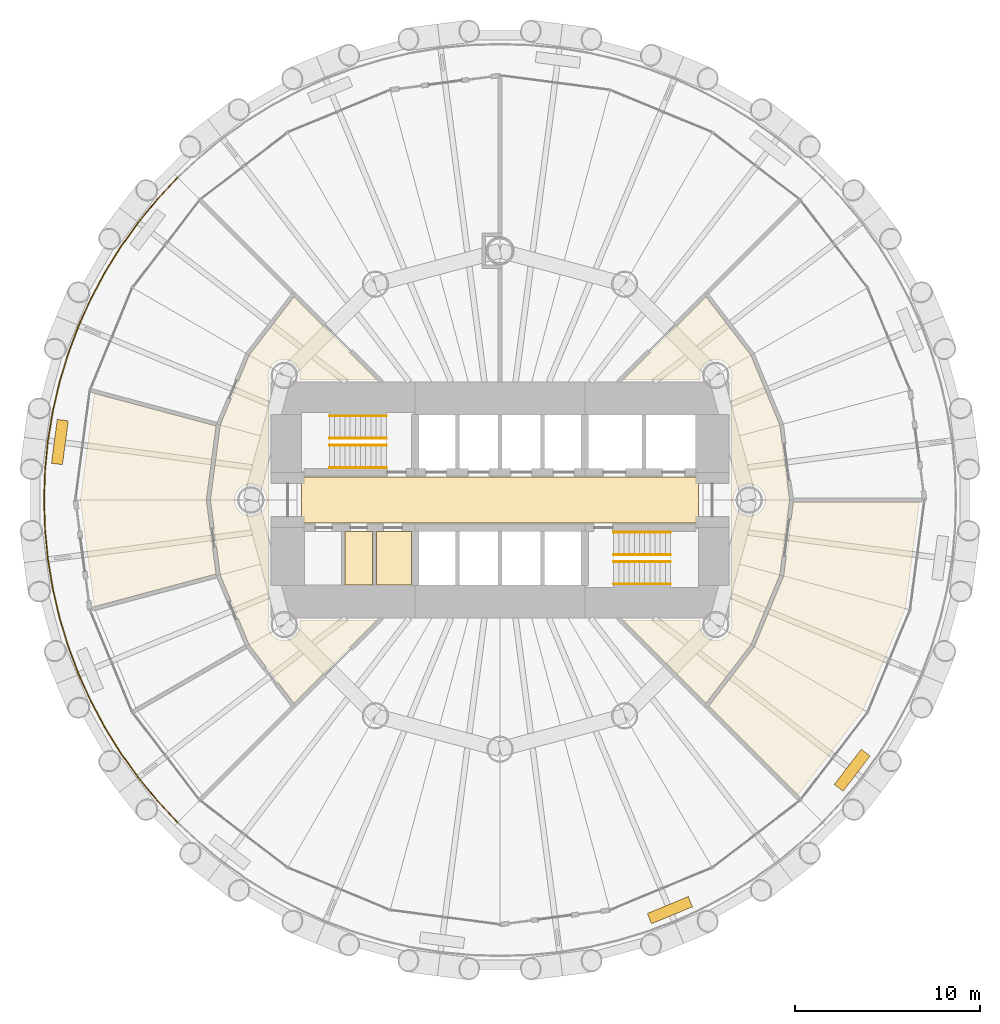
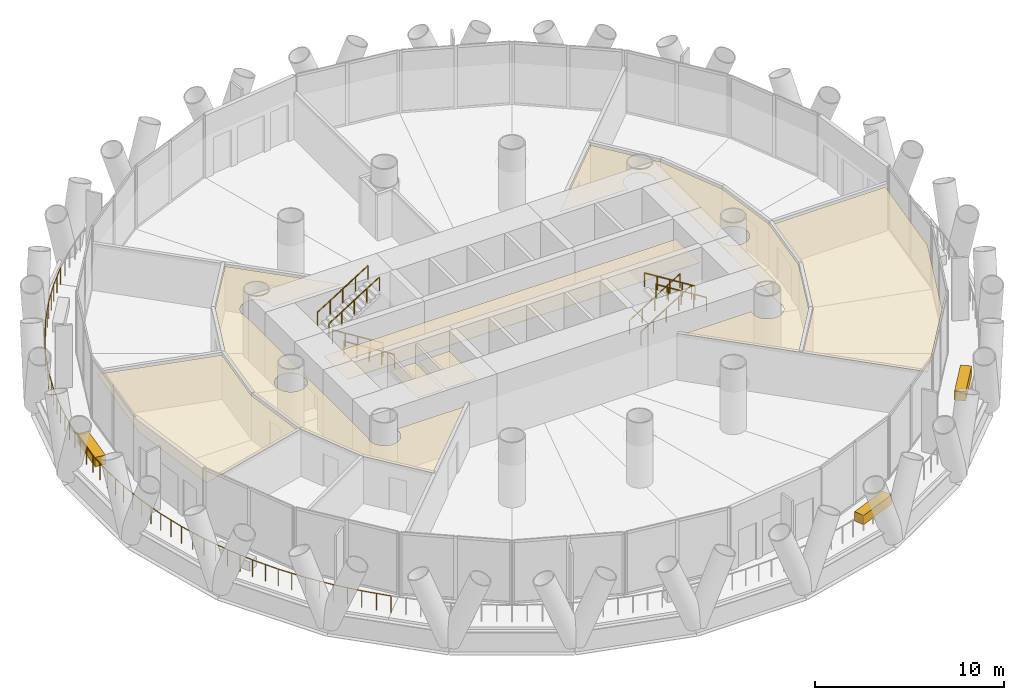
# One storey, part 12 of 14: 10 coverings, 9 railings.
"""IFC4 building model written with IfcOpenShell, lengths in metres."""

from ifc_helpers import new_model, si_unit, direction, frame, origin, origin_2d, place, context, subcontext, project, spatial, polyline, rectangle, circle, outline, extrude, material, layer, layer_set, type_object, element, save


model = new_model("IFC4")

# Units and contexts
model_context = context("Model", 3, precision=1e-05, world=origin(), true_north=direction((0.0, 1.0)))
body_context = subcontext(model_context, "Body", "Model", "MODEL_VIEW")
ifc_project = project(units=[si_unit("LENGTHUNIT", "METRE"), si_unit("AREAUNIT", "SQUARE_METRE"), si_unit("VOLUMEUNIT", "CUBIC_METRE"), si_unit("PLANEANGLEUNIT", "RADIAN"), si_unit("MASSUNIT", "GRAM", prefix="KILO")], contexts=[model_context])

# Site, building, storey
site_placement = place(None, origin())
site = spatial("IfcSite", under=ifc_project, at=site_placement, CompositionType="ELEMENT")
building_placement = place(site_placement, origin())
building = spatial("IfcBuilding", under=site, at=building_placement, Name="Qaws Media Tower", CompositionType="ELEMENT")
storey_placement = place(building_placement, frame((0.0, 0.0, 68.0)))
storey = spatial("IfcBuildingStorey", under=building, at=storey_placement, Name="L14", CompositionType="ELEMENT", Elevation=68.0)

# Railing
ifc_material_1 = material(Name="Stainless steel and glass guard", Category="steel")
railing_type_1 = type_object("IfcRailingType", Name="Balcony guard 1100", PredefinedType="GUARDRAIL", material=ifc_material_1)
railing_placement = place(storey_placement, frame((42.534423828125, 67.465576171875, 0.0)))
element("IfcRailing", 1, at=railing_placement, inside=storey, type_object=railing_type_1, Name="GR1 balcony guard L14-2", PredefinedType="GUARDRAIL", context=body_context, shape_type="SweptSolid", body=[
    extrude(circle(Radius=0.02392578125, at=origin_2d()), frame((0.0, 0.0, 1.076171875), z_axis=(-0.683619507807, -0.729838590748, 0.0), x_axis=(0.729838590748, -0.683619507807, 0.0)), (0.0, 0.0, 1.0), 1.616455078125),
    extrude(circle(Radius=0.02392578125, at=origin_2d()), frame((-1.10498046875, -1.1796875, 1.076171875), z_axis=(-0.63437215989, -0.773027789123, 0.0), x_axis=(0.773027789123, -0.63437215989, 0.0)), (0.0, 0.0, 1.0), 1.616455078125),
    extrude(circle(Radius=0.02392578125, at=origin_2d()), frame((-2.13037109375, -2.42919921875, 1.076171875), z_axis=(-0.582480684147, -0.81284454393, 0.0), x_axis=(0.81284454393, -0.582480684147, 0.0)), (0.0, 0.0, 1.0), 1.6162109375),
    extrude(circle(Radius=0.02392578125, at=origin_2d()), frame((-3.07177734375, -3.742919921875, 1.076171875), z_axis=(-0.528069565675, -0.849201115053, 0.0), x_axis=(0.849201115053, -0.528069565675, 0.0)), (0.0, 0.0, 1.0), 1.6162109375),
    extrude(circle(Radius=0.02392578125, at=origin_2d()), frame((-3.92529296875, -5.115478515625, 1.076171875), z_axis=(-0.471395500641, -0.881921925102, 0.0), x_axis=(0.881921925102, -0.471395500641, 0.0)), (0.0, 0.0, 1.0), 1.616455078125),
    extrude(circle(Radius=0.02392578125, at=origin_2d()), frame((-4.687255859375, -6.541015625, 1.076171875), z_axis=(-0.412687296227, -0.910872765831, 0.0), x_axis=(0.910872765831, -0.412687296227, 0.0)), (0.0, 0.0, 1.0), 1.6162109375),
    extrude(circle(Radius=0.02392578125, at=origin_2d()), frame((-5.354248046875, -8.01318359375, 1.076171875), z_axis=(-0.352199031011, -0.935925126575, 0.0), x_axis=(0.935925126575, -0.352199031011, 0.0)), (0.0, 0.0, 1.0), 1.616455078125),
    extrude(circle(Radius=0.02392578125, at=origin_2d()), frame((-5.923583984375, -9.526123046875, 1.076171875), z_axis=(-0.290326003022, -0.956927798723, 0.0), x_axis=(0.956927798723, -0.290326003022, 0.0)), (0.0, 0.0, 1.0), 1.6162109375),
    extrude(circle(Radius=0.02392578125, at=origin_2d()), frame((-6.392822265625, -11.07275390625, 1.076171875), z_axis=(-0.227043372937, -0.973884647587, 0.0), x_axis=(0.973884647587, -0.227043372937, 0.0)), (0.0, 0.0, 1.0), 1.6162109375),
    extrude(circle(Radius=0.02392578125, at=origin_2d()), frame((-6.759765625, -12.646728515625, 1.076171875), z_axis=(-0.16295388754, -0.986633686094, 0.0), x_axis=(0.986633686094, -0.16295388754, 0.0)), (0.0, 0.0, 1.0), 1.61669921875),
    extrude(circle(Radius=0.02392578125, at=origin_2d()), frame((-7.023193359375, -14.24169921875, 1.076171875), z_axis=(-0.098037881252, -0.995182683651, 0.0), x_axis=(0.995182683651, -0.098037881252, 0.0)), (0.0, 0.0, 1.0), 1.6162109375),
    extrude(circle(Radius=0.02392578125, at=origin_2d()), frame((-7.181640625, -15.85009765625, 1.076171875), z_axis=(-0.032625813733, -0.999467636434, 0.0), x_axis=(0.999467636434, -0.032625813733, 0.0)), (0.0, 0.0, 1.0), 1.616455078125),
    extrude(circle(Radius=0.02392578125, at=origin_2d()), frame((-7.234375, -17.465576171875, 1.076171875), z_axis=(0.032625813733, -0.999467636434, 0.0), x_axis=(0.999467636434, 0.032625813733, 0.0)), (0.0, 0.0, 1.0), 1.616455078125),
    extrude(circle(Radius=0.02392578125, at=origin_2d()), frame((-7.181640625, -19.0810546875, 1.076171875), z_axis=(0.098037881252, -0.995182683651, 0.0), x_axis=(0.995182683651, 0.098037881252, 0.0)), (0.0, 0.0, 1.0), 1.6162109375),
    extrude(circle(Radius=0.02392578125, at=origin_2d()), frame((-7.023193359375, -20.689453125, 1.076171875), z_axis=(0.16295388754, -0.986633686094, 0.0), x_axis=(0.986633686094, 0.16295388754, 0.0)), (0.0, 0.0, 1.0), 1.61669921875),
    extrude(circle(Radius=0.02392578125, at=origin_2d()), frame((-6.759765625, -22.284423828125, 1.076171875), z_axis=(0.227043372937, -0.973884647587, 0.0), x_axis=(0.973884647587, 0.227043372937, 0.0)), (0.0, 0.0, 1.0), 1.6162109375),
    extrude(circle(Radius=0.02392578125, at=origin_2d()), frame((-6.392822265625, -23.8583984375, 1.076171875), z_axis=(0.290326003022, -0.956927798723, 0.0), x_axis=(0.956927798723, 0.290326003022, 0.0)), (0.0, 0.0, 1.0), 1.6162109375),
    extrude(circle(Radius=0.02392578125, at=origin_2d()), frame((-5.923583984375, -25.405029296875, 1.076171875), z_axis=(0.352199031011, -0.935925126575, 0.0), x_axis=(0.935925126575, 0.352199031011, 0.0)), (0.0, 0.0, 1.0), 1.616455078125),
    extrude(circle(Radius=0.02392578125, at=origin_2d()), frame((-5.354248046875, -26.91796875, 1.076171875), z_axis=(0.412687296227, -0.910872765831, 0.0), x_axis=(0.910872765831, 0.412687296227, 0.0)), (0.0, 0.0, 1.0), 1.6162109375),
    extrude(circle(Radius=0.02392578125, at=origin_2d()), frame((-4.687255859375, -28.39013671875, 1.076171875), z_axis=(0.471395500641, -0.881921925102, 0.0), x_axis=(0.881921925102, 0.471395500641, 0.0)), (0.0, 0.0, 1.0), 1.616455078125),
    extrude(circle(Radius=0.02392578125, at=origin_2d()), frame((-3.92529296875, -29.815673828125, 1.076171875), z_axis=(0.528069565675, -0.849201115053, 0.0), x_axis=(0.849201115053, 0.528069565675, 0.0)), (0.0, 0.0, 1.0), 1.6162109375),
    extrude(circle(Radius=0.02392578125, at=origin_2d()), frame((-3.07177734375, -31.188232421875, 1.076171875), z_axis=(0.582480684147, -0.81284454393, 0.0), x_axis=(0.81284454393, 0.582480684147, 0.0)), (0.0, 0.0, 1.0), 1.6162109375),
    extrude(circle(Radius=0.02392578125, at=origin_2d()), frame((-2.13037109375, -32.501953125, 1.076171875), z_axis=(0.63437215989, -0.773027789123, 0.0), x_axis=(0.773027789123, 0.63437215989, 0.0)), (0.0, 0.0, 1.0), 1.616455078125),
    extrude(circle(Radius=0.02392578125, at=origin_2d()), frame((-1.10498046875, -33.75146484375, 1.076171875), z_axis=(0.683619507807, -0.729838590748, 0.0), x_axis=(0.729838590748, 0.683619507807, 0.0)), (0.0, 0.0, 1.0), 1.616455078125),
    extrude(circle(Radius=0.02099609375, at=origin_2d()), origin(), (0.0, 0.0, 1.0), 1.052001953125),
    extrude(circle(Radius=0.02099609375, at=origin_2d()), frame((-0.552490234375, -0.58984375, 0.0)), (0.0, 0.0, 1.0), 1.052001953125),
    extrude(circle(Radius=0.02099609375, at=origin_2d()), frame((-1.10498046875, -1.1796875, 0.0)), (0.0, 0.0, 1.0), 1.052001953125),
    extrude(circle(Radius=0.02099609375, at=origin_2d()), frame((-1.61767578125, -1.804443359375, 0.0)), (0.0, 0.0, 1.0), 1.052001953125),
    extrude(circle(Radius=0.02099609375, at=origin_2d()), frame((-2.13037109375, -2.42919921875, 0.0)), (0.0, 0.0, 1.0), 1.052001953125),
    extrude(circle(Radius=0.02099609375, at=origin_2d()), frame((-2.60107421875, -3.0859375, 0.0)), (0.0, 0.0, 1.0), 1.052001953125),
    extrude(circle(Radius=0.02099609375, at=origin_2d()), frame((-3.07177734375, -3.742919921875, 0.0)), (0.0, 0.0, 1.0), 1.052001953125),
    extrude(circle(Radius=0.02099609375, at=origin_2d()), frame((-3.49853515625, -4.42919921875, 0.0)), (0.0, 0.0, 1.0), 1.052001953125),
    extrude(circle(Radius=0.02099609375, at=origin_2d()), frame((-3.92529296875, -5.115478515625, 0.0)), (0.0, 0.0, 1.0), 1.052001953125),
    extrude(circle(Radius=0.02099609375, at=origin_2d()), frame((-4.30615234375, -5.828125, 0.0)), (0.0, 0.0, 1.0), 1.052001953125),
    extrude(circle(Radius=0.02099609375, at=origin_2d()), frame((-4.687255859375, -6.541015625, 0.0)), (0.0, 0.0, 1.0), 1.052001953125),
    extrude(circle(Radius=0.02099609375, at=origin_2d()), frame((-5.020751953125, -7.277099609375, 0.0)), (0.0, 0.0, 1.0), 1.052001953125),
    extrude(circle(Radius=0.02099609375, at=origin_2d()), frame((-5.354248046875, -8.01318359375, 0.0)), (0.0, 0.0, 1.0), 1.052001953125),
    extrude(circle(Radius=0.02099609375, at=origin_2d()), frame((-5.638916015625, -8.76953125, 0.0)), (0.0, 0.0, 1.0), 1.052001953125),
    extrude(circle(Radius=0.02099609375, at=origin_2d()), frame((-5.923583984375, -9.526123046875, 0.0)), (0.0, 0.0, 1.0), 1.052001953125),
    extrude(circle(Radius=0.02099609375, at=origin_2d()), frame((-6.158203125, -10.29931640625, 0.0)), (0.0, 0.0, 1.0), 1.052001953125),
    extrude(circle(Radius=0.02099609375, at=origin_2d()), frame((-6.392822265625, -11.07275390625, 0.0)), (0.0, 0.0, 1.0), 1.052001953125),
    extrude(circle(Radius=0.02099609375, at=origin_2d()), frame((-6.576171875, -11.85986328125, 0.0)), (0.0, 0.0, 1.0), 1.052001953125),
    extrude(circle(Radius=0.02099609375, at=origin_2d()), frame((-6.759765625, -12.646728515625, 0.0)), (0.0, 0.0, 1.0), 1.052001953125),
    extrude(circle(Radius=0.02099609375, at=origin_2d()), frame((-6.8916015625, -13.4443359375, 0.0)), (0.0, 0.0, 1.0), 1.052001953125),
    extrude(circle(Radius=0.02099609375, at=origin_2d()), frame((-7.023193359375, -14.24169921875, 0.0)), (0.0, 0.0, 1.0), 1.052001953125),
    extrude(circle(Radius=0.02099609375, at=origin_2d()), frame((-7.1025390625, -15.0458984375, 0.0)), (0.0, 0.0, 1.0), 1.052001953125),
    extrude(circle(Radius=0.02099609375, at=origin_2d()), frame((-7.181640625, -15.85009765625, 0.0)), (0.0, 0.0, 1.0), 1.052001953125),
    extrude(circle(Radius=0.02099609375, at=origin_2d()), frame((-7.2080078125, -16.65771484375, 0.0)), (0.0, 0.0, 1.0), 1.052001953125),
    extrude(circle(Radius=0.02099609375, at=origin_2d()), frame((-7.234375, -17.465576171875, 0.0)), (0.0, 0.0, 1.0), 1.052001953125),
    extrude(circle(Radius=0.02099609375, at=origin_2d()), frame((-7.2080078125, -18.2734375, 0.0)), (0.0, 0.0, 1.0), 1.052001953125),
    extrude(circle(Radius=0.02099609375, at=origin_2d()), frame((-7.181640625, -19.0810546875, 0.0)), (0.0, 0.0, 1.0), 1.052001953125),
    extrude(circle(Radius=0.02099609375, at=origin_2d()), frame((-7.1025390625, -19.88525390625, 0.0)), (0.0, 0.0, 1.0), 1.052001953125),
    extrude(circle(Radius=0.02099609375, at=origin_2d()), frame((-7.023193359375, -20.689453125, 0.0)), (0.0, 0.0, 1.0), 1.052001953125),
    extrude(circle(Radius=0.02099609375, at=origin_2d()), frame((-6.8916015625, -21.48681640625, 0.0)), (0.0, 0.0, 1.0), 1.052001953125),
    extrude(circle(Radius=0.02099609375, at=origin_2d()), frame((-6.759765625, -22.284423828125, 0.0)), (0.0, 0.0, 1.0), 1.052001953125),
    extrude(circle(Radius=0.02099609375, at=origin_2d()), frame((-6.576171875, -23.0712890625, 0.0)), (0.0, 0.0, 1.0), 1.052001953125),
    extrude(circle(Radius=0.02099609375, at=origin_2d()), frame((-6.392822265625, -23.8583984375, 0.0)), (0.0, 0.0, 1.0), 1.052001953125),
    extrude(circle(Radius=0.02099609375, at=origin_2d()), frame((-6.158203125, -24.6318359375, 0.0)), (0.0, 0.0, 1.0), 1.052001953125),
    extrude(circle(Radius=0.02099609375, at=origin_2d()), frame((-5.923583984375, -25.405029296875, 0.0)), (0.0, 0.0, 1.0), 1.052001953125),
    extrude(circle(Radius=0.02099609375, at=origin_2d()), frame((-5.638916015625, -26.16162109375, 0.0)), (0.0, 0.0, 1.0), 1.052001953125),
    extrude(circle(Radius=0.02099609375, at=origin_2d()), frame((-5.354248046875, -26.91796875, 0.0)), (0.0, 0.0, 1.0), 1.052001953125),
    extrude(circle(Radius=0.02099609375, at=origin_2d()), frame((-5.020751953125, -27.654052734375, 0.0)), (0.0, 0.0, 1.0), 1.052001953125),
    extrude(circle(Radius=0.02099609375, at=origin_2d()), frame((-4.687255859375, -28.39013671875, 0.0)), (0.0, 0.0, 1.0), 1.052001953125),
    extrude(circle(Radius=0.02099609375, at=origin_2d()), frame((-4.30615234375, -29.10302734375, 0.0)), (0.0, 0.0, 1.0), 1.052001953125),
    extrude(circle(Radius=0.02099609375, at=origin_2d()), frame((-3.92529296875, -29.815673828125, 0.0)), (0.0, 0.0, 1.0), 1.052001953125),
    extrude(circle(Radius=0.02099609375, at=origin_2d()), frame((-3.49853515625, -30.501953125, 0.0)), (0.0, 0.0, 1.0), 1.052001953125),
    extrude(circle(Radius=0.02099609375, at=origin_2d()), frame((-3.07177734375, -31.188232421875, 0.0)), (0.0, 0.0, 1.0), 1.052001953125),
    extrude(circle(Radius=0.02099609375, at=origin_2d()), frame((-2.60107421875, -31.84521484375, 0.0)), (0.0, 0.0, 1.0), 1.052001953125),
    extrude(circle(Radius=0.02099609375, at=origin_2d()), frame((-2.13037109375, -32.501953125, 0.0)), (0.0, 0.0, 1.0), 1.052001953125),
    extrude(circle(Radius=0.02099609375, at=origin_2d()), frame((-1.61767578125, -33.126708984375, 0.0)), (0.0, 0.0, 1.0), 1.052001953125),
    extrude(circle(Radius=0.02099609375, at=origin_2d()), frame((-1.10498046875, -33.75146484375, 0.0)), (0.0, 0.0, 1.0), 1.052001953125),
    extrude(circle(Radius=0.02099609375, at=origin_2d()), frame((-0.552490234375, -34.34130859375, 0.0)), (0.0, 0.0, 1.0), 1.052001953125),
    extrude(circle(Radius=0.02099609375, at=origin_2d()), frame((0.0, -34.93115234375, 0.0)), (0.0, 0.0, 1.0), 1.052001953125),
])

# Coverings
ifc_material_2 = material(Name="600 x 600 mineral fibre tiles in exposed grid, suspended", Category="mineral fibre")
ifc_layer_1 = layer(ifc_material_2, 0.02001953125)
ifc_layer_set_1 = layer_set([ifc_layer_1], Name="Mineral fibre tile ceiling 20")
covering_type_1 = type_object("IfcCoveringType", Name="Mineral fibre tile ceiling 20", PredefinedType="CEILING", material=ifc_layer_set_1)
covering_1_placement = place(storey_placement, frame((0.0, 0.0, 2.85009765625)))
element("IfcCovering", 2, at=covering_1_placement, inside=storey, type_object=covering_type_1, Name="CL1 ceiling L14-01 Corridor", PredefinedType="CEILING", context=body_context, shape_type="SweptSolid", body=[
    extrude(outline(polyline([(44.847900390625, 54.06005859375), (46.4150390625, 57.84326171875), (48.8388671875, 61.001953125), (53.328369140625, 56.512451171875), (49.14599609375, 56.512451171875), (49.14990234375, 56.524658203125), (49.172119140625, 56.63623046875), (49.1796875, 56.75), (49.172119140625, 56.86376953125), (49.14990234375, 56.975341796875), (49.11328125, 57.083251953125), (49.06298828125, 57.185546875), (48.999755859375, 57.2802734375), (48.924560546875, 57.365966796875), (48.8388671875, 57.44091796875), (48.744140625, 57.50439453125), (48.64208984375, 57.5546875), (48.5341796875, 57.59130859375), (48.42236328125, 57.613525390625), (48.30859375, 57.62109375), (48.195068359375, 57.613525390625), (48.083251953125, 57.59130859375), (47.975341796875, 57.5546875), (47.873291015625, 57.50439453125), (47.7783203125, 57.44091796875), (47.69287109375, 57.365966796875), (47.61767578125, 57.2802734375), (47.55419921875, 57.185546875), (47.50390625, 57.083251953125), (47.46728515625, 56.975341796875), (47.445068359375, 56.86376953125), (47.437744140625, 56.75), (47.445068359375, 56.63623046875), (47.46728515625, 56.524658203125), (47.487548828125, 56.465087890625), (47.487548828125, 43.534912109375), (47.46728515625, 43.475341796875), (47.445068359375, 43.36376953125), (47.437744140625, 43.25), (47.445068359375, 43.13623046875), (47.46728515625, 43.024658203125), (47.50390625, 42.916748046875), (47.55419921875, 42.814453125), (47.61767578125, 42.7197265625), (47.69287109375, 42.634033203125), (47.7783203125, 42.55908203125), (47.873291015625, 42.49560546875), (47.975341796875, 42.4453125), (48.083251953125, 42.40869140625), (48.195068359375, 42.386474609375), (48.30859375, 42.37890625), (48.42236328125, 42.386474609375), (48.5341796875, 42.40869140625), (48.64208984375, 42.4453125), (48.744140625, 42.49560546875), (48.8388671875, 42.55908203125), (48.924560546875, 42.634033203125), (48.999755859375, 42.7197265625), (49.06298828125, 42.814453125), (49.11328125, 42.916748046875), (49.14990234375, 43.024658203125), (49.172119140625, 43.13623046875), (49.1796875, 43.25), (49.172119140625, 43.36376953125), (49.14990234375, 43.475341796875), (49.14599609375, 43.487548828125), (53.328369140625, 43.487548828125), (48.8388671875, 38.998046875), (46.4150390625, 42.15673828125), (44.847900390625, 45.93994140625), (44.3134765625, 50.0), (44.847900390625, 54.06005859375)]), holes=[polyline([(47.3046875, 49.666748046875), (47.34130859375, 49.774658203125), (47.363525390625, 49.88623046875), (47.37109375, 50.0), (47.363525390625, 50.11376953125), (47.34130859375, 50.225341796875), (47.3046875, 50.333251953125), (47.25439453125, 50.435546875), (47.19091796875, 50.5302734375), (47.115966796875, 50.615966796875), (47.0302734375, 50.69091796875), (46.935546875, 50.75439453125), (46.833251953125, 50.8046875), (46.725341796875, 50.84130859375), (46.61376953125, 50.863525390625), (46.5, 50.87109375), (46.38623046875, 50.863525390625), (46.274658203125, 50.84130859375), (46.166748046875, 50.8046875), (46.064453125, 50.75439453125), (45.9697265625, 50.69091796875), (45.884033203125, 50.615966796875), (45.80908203125, 50.5302734375), (45.74560546875, 50.435546875), (45.6953125, 50.333251953125), (45.65869140625, 50.225341796875), (45.636474609375, 50.11376953125), (45.62890625, 50.0), (45.636474609375, 49.88623046875), (45.65869140625, 49.774658203125), (45.6953125, 49.666748046875), (45.74560546875, 49.564453125), (45.80908203125, 49.4697265625), (45.884033203125, 49.384033203125), (45.9697265625, 49.30908203125), (46.064453125, 49.24560546875), (46.166748046875, 49.1953125), (46.274658203125, 49.15869140625), (46.38623046875, 49.136474609375), (46.5, 49.12890625), (46.61376953125, 49.136474609375), (46.725341796875, 49.15869140625), (46.833251953125, 49.1953125), (46.935546875, 49.24560546875), (47.0302734375, 49.30908203125), (47.115966796875, 49.384033203125), (47.19091796875, 49.4697265625), (47.25439453125, 49.564453125), (47.3046875, 49.666748046875)])]), origin(), (0.0, 0.0, 1.0), 0.02001953125),
])
covering_2_placement = place(storey_placement, frame((0.0, 0.0, 2.85009765625)))
element("IfcCovering", 3, at=covering_2_placement, inside=storey, type_object=covering_type_1, Name="CL1 ceiling L14-01-1 Corridor", PredefinedType="CEILING", context=body_context, shape_type="SweptSolid", body=[
    extrude(outline(polyline([(73.5849609375, 57.84326171875), (75.152099609375, 54.06005859375), (75.6865234375, 50.0), (75.152099609375, 45.93994140625), (73.5849609375, 42.15673828125), (71.1611328125, 38.998046875), (66.671630859375, 43.487548828125), (70.85400390625, 43.487548828125), (70.85009765625, 43.475341796875), (70.827880859375, 43.36376953125), (70.8203125, 43.25), (70.827880859375, 43.13623046875), (70.85009765625, 43.024658203125), (70.88671875, 42.916748046875), (70.93701171875, 42.814453125), (71.000244140625, 42.7197265625), (71.075439453125, 42.634033203125), (71.1611328125, 42.55908203125), (71.255859375, 42.49560546875), (71.35791015625, 42.4453125), (71.4658203125, 42.40869140625), (71.57763671875, 42.386474609375), (71.69140625, 42.37890625), (71.804931640625, 42.386474609375), (71.916748046875, 42.40869140625), (72.024658203125, 42.4453125), (72.126708984375, 42.49560546875), (72.2216796875, 42.55908203125), (72.30712890625, 42.634033203125), (72.38232421875, 42.7197265625), (72.44580078125, 42.814453125), (72.49609375, 42.916748046875), (72.53271484375, 43.024658203125), (72.554931640625, 43.13623046875), (72.562255859375, 43.25), (72.554931640625, 43.36376953125), (72.53271484375, 43.475341796875), (72.512451171875, 43.534912109375), (72.512451171875, 56.465087890625), (72.53271484375, 56.524658203125), (72.554931640625, 56.63623046875), (72.562255859375, 56.75), (72.554931640625, 56.86376953125), (72.53271484375, 56.975341796875), (72.49609375, 57.083251953125), (72.44580078125, 57.185546875), (72.38232421875, 57.2802734375), (72.30712890625, 57.365966796875), (72.2216796875, 57.44091796875), (72.126708984375, 57.50439453125), (72.024658203125, 57.5546875), (71.916748046875, 57.59130859375), (71.804931640625, 57.613525390625), (71.69140625, 57.62109375), (71.57763671875, 57.613525390625), (71.4658203125, 57.59130859375), (71.35791015625, 57.5546875), (71.255859375, 57.50439453125), (71.1611328125, 57.44091796875), (71.075439453125, 57.365966796875), (71.000244140625, 57.2802734375), (70.93701171875, 57.185546875), (70.88671875, 57.083251953125), (70.85009765625, 56.975341796875), (70.827880859375, 56.86376953125), (70.8203125, 56.75), (70.827880859375, 56.63623046875), (70.85009765625, 56.524658203125), (70.85400390625, 56.512451171875), (66.671630859375, 56.512451171875), (71.1611328125, 61.001953125), (73.5849609375, 57.84326171875)]), holes=[polyline([(74.34130859375, 49.774658203125), (74.363525390625, 49.88623046875), (74.37109375, 50.0), (74.363525390625, 50.11376953125), (74.34130859375, 50.225341796875), (74.3046875, 50.333251953125), (74.25439453125, 50.435546875), (74.19091796875, 50.5302734375), (74.115966796875, 50.615966796875), (74.0302734375, 50.69091796875), (73.935546875, 50.75439453125), (73.833251953125, 50.8046875), (73.725341796875, 50.84130859375), (73.61376953125, 50.863525390625), (73.5, 50.87109375), (73.38623046875, 50.863525390625), (73.274658203125, 50.84130859375), (73.166748046875, 50.8046875), (73.064453125, 50.75439453125), (72.9697265625, 50.69091796875), (72.884033203125, 50.615966796875), (72.80908203125, 50.5302734375), (72.74560546875, 50.435546875), (72.6953125, 50.333251953125), (72.65869140625, 50.225341796875), (72.636474609375, 50.11376953125), (72.62890625, 50.0), (72.636474609375, 49.88623046875), (72.65869140625, 49.774658203125), (72.6953125, 49.666748046875), (72.74560546875, 49.564453125), (72.80908203125, 49.4697265625), (72.884033203125, 49.384033203125), (72.9697265625, 49.30908203125), (73.064453125, 49.24560546875), (73.166748046875, 49.1953125), (73.274658203125, 49.15869140625), (73.38623046875, 49.136474609375), (73.5, 49.12890625), (73.61376953125, 49.136474609375), (73.725341796875, 49.15869140625), (73.833251953125, 49.1953125), (73.935546875, 49.24560546875), (74.0302734375, 49.30908203125), (74.115966796875, 49.384033203125), (74.19091796875, 49.4697265625), (74.25439453125, 49.564453125), (74.3046875, 49.666748046875), (74.34130859375, 49.774658203125)])]), origin(), (0.0, 0.0, 1.0), 0.02001953125),
])
covering_3_placement = place(storey_placement, frame((0.0, 0.0, 2.85009765625)))
element("IfcCovering", 4, at=covering_3_placement, inside=storey, type_object=covering_type_1, Name="CL1 ceiling L14-06 Graphics studio", PredefinedType="CEILING", context=body_context, shape_type="SweptSolid", body=[
    extrude(outline(polyline([(37.264892578125, 50.0), (38.024658203125, 55.771728515625), (44.614013671875, 54.006103515625), (44.08642578125, 50.0), (44.614013671875, 45.993896484375), (38.024658203125, 44.228271484375), (37.264892578125, 50.0)])), origin(), (0.0, 0.0, 1.0), 0.02001953125),
])
covering_4_placement = place(storey_placement, frame((0.0, 0.0, 2.85009765625)))
element("IfcCovering", 5, at=covering_4_placement, inside=storey, type_object=covering_type_1, Name="CL1 ceiling L14-10 Media lab", PredefinedType="CEILING", context=body_context, shape_type="SweptSolid", body=[
    extrude(outline(polyline([(81.960693359375, 44.11572265625), (79.689208984375, 38.63232421875), (76.145263671875, 34.013916015625), (71.321533203125, 38.83740234375), (73.781494140625, 42.043212890625), (75.37109375, 45.88134765625), (75.898681640625, 49.887451171875), (82.720458984375, 49.887451171875), (81.960693359375, 44.11572265625)])), origin(), (0.0, 0.0, 1.0), 0.02001953125),
])
ifc_material_3 = material(Name="Precast concrete planter with trailing planting", Category="concrete")
ifc_layer_2 = layer(ifc_material_3, 0.60009765625)
ifc_layer_set_2 = layer_set([ifc_layer_2], Name="Planter 2400x600")
covering_type_2 = type_object("IfcCoveringType", Name="Planter 2400x600", PredefinedType="USERDEFINED", material=ifc_layer_set_2)
for number, where, z_axis, x_axis, name in (
    (6, (36.15576171875, 53.13916015625, 0.0), (0.0, 0.0, 1.0), (-0.13052619222, -0.991444861374, 0.0), "PL1 balcony planter L14-06"),
    (7, (69.20361328125, 27.78076171875, 0.0), (0.0, 0.0, 1.0), (0.923879532511, 0.382683432365, 0.0), "PL1 balcony planter L14-10"),
    (8, (79.080078125, 35.359375, 0.0), (0.0, 0.0, 1.0), (0.608761429009, 0.793353340291, 0.0), "PL1 balcony planter L14-11"),
):
    element("IfcCovering", number, at=place(storey_placement, frame(where, z_axis=z_axis, x_axis=x_axis)), inside=storey, type_object=covering_type_2, Name=name, ObjectType="PLANTER", PredefinedType="USERDEFINED", context=body_context, shape_type="SweptSolid", body=[
        extrude(rectangle(XDim=2.39990234375, YDim=0.60009765625, at=origin_2d()), origin(), (0.0, 0.0, 1.0), 0.60009765625),
    ])
ifc_material_4 = material(Name="Two layers 12.5 moisture-resistant plasterboard on suspended metal furring", Category="gypsum")
ifc_layer_3 = layer(ifc_material_4, 0.02490234375)
ifc_layer_set_3 = layer_set([ifc_layer_3], Name="Plasterboard ceiling 25")
covering_type_3 = type_object("IfcCoveringType", Name="Plasterboard ceiling 25", PredefinedType="CEILING", material=ifc_layer_set_3)
covering_5_placement = place(storey_placement, frame((0.0, 0.0, 2.85009765625)))
element("IfcCovering", 9, at=covering_5_placement, inside=storey, type_object=covering_type_3, Name="CL2 ceiling L14-C01 Lift lobby", PredefinedType="CEILING", context=body_context, shape_type="SweptSolid", body=[
    extrude(outline(polyline([(49.25, 48.75), (49.25, 51.25), (70.75, 51.25), (70.75, 48.75), (49.25, 48.75)])), origin(), (0.0, 0.0, 1.0), 0.02490234375),
])
covering_6_placement = place(storey_placement, frame((0.0, 0.0, 2.85009765625)))
element("IfcCovering", 10, at=covering_6_placement, inside=storey, type_object=covering_type_3, Name="CL2 ceiling L14-C05 WC female", PredefinedType="CEILING", context=body_context, shape_type="SweptSolid", body=[
    extrude(outline(polyline([(51.60009765625, 45.39990234375), (51.60009765625, 48.300048828125), (53.10009765625, 48.300048828125), (53.10009765625, 45.39990234375), (51.60009765625, 45.39990234375)])), origin(), (0.0, 0.0, 1.0), 0.02490234375),
])
covering_7_placement = place(storey_placement, frame((0.0, 0.0, 2.85009765625)))
element("IfcCovering", 11, at=covering_7_placement, inside=storey, type_object=covering_type_3, Name="CL2 ceiling L14-C06 Accessible WC", PredefinedType="CEILING", context=body_context, shape_type="SweptSolid", body=[
    extrude(outline(polyline([(53.300048828125, 45.39990234375), (53.300048828125, 48.300048828125), (55.199951171875, 48.300048828125), (55.199951171875, 45.39990234375), (53.300048828125, 45.39990234375)])), origin(), (0.0, 0.0, 1.0), 0.02490234375),
])

# Railings
ifc_material_5 = material(Name="Steel tube handrail", Category="steel")
railing_type_2 = type_object("IfcRailingType", Name="Stair handrail 900", PredefinedType="HANDRAIL", material=ifc_material_5)
for number, where, name in (
    (12, (53.840087890625, 51.75, 0.175048828125), "HR1 handrail S1 flight 1 L14"),
    (13, (53.840087890625, 52.9599609375, 0.175048828125), "HR1 handrail S1 flight 1 L14"),
):
    element("IfcRailing", number, at=place(storey_placement, frame(where)), inside=storey, type_object=railing_type_2, Name=name, PredefinedType="HANDRAIL", context=body_context, shape_type="SweptSolid", body=[
        extrude(circle(Radius=0.02392578125, at=origin_2d()), frame((0.0, 0.0, 0.8759765625), z_axis=(-0.847998304005, 0.0, 0.529998940003), x_axis=(0.0, -1.0, 0.0)), (0.0, 0.0, 1.0), 3.632080078125),
        extrude(circle(Radius=0.02099609375, at=origin_2d()), origin(), (0.0, 0.0, 1.0), 0.851806640625),
        extrude(circle(Radius=0.02099609375, at=origin_2d()), frame((-0.77001953125, 0.0, 0.481201171875)), (0.0, 0.0, 1.0), 0.851806640625),
        extrude(circle(Radius=0.02099609375, at=origin_2d()), frame((-1.5400390625, 0.0, 0.96240234375)), (0.0, 0.0, 1.0), 0.851806640625),
        extrude(circle(Radius=0.02099609375, at=origin_2d()), frame((-2.31005859375, 0.0, 1.44384765625)), (0.0, 0.0, 1.0), 0.851806640625),
        extrude(circle(Radius=0.02099609375, at=origin_2d()), frame((-3.080078125, 0.0, 1.925048828125)), (0.0, 0.0, 1.0), 0.851806640625),
    ])
for number, where, name in (
    (14, (50.760009765625, 54.550048828125, 2.27490234375), "HR1 handrail S1 flight 2 L14"),
    (15, (50.760009765625, 53.340087890625, 2.27490234375), "HR1 handrail S1 flight 2 L14"),
    (16, (66.159912109375, 48.25, 0.175048828125), "HR1 handrail S2 flight 1 L14"),
    (17, (66.159912109375, 47.0400390625, 0.175048828125), "HR1 handrail S2 flight 1 L14"),
):
    element("IfcRailing", number, at=place(storey_placement, frame(where)), inside=storey, type_object=railing_type_2, Name=name, PredefinedType="HANDRAIL", context=body_context, shape_type="SweptSolid", body=[
        extrude(circle(Radius=0.02392578125, at=origin_2d()), frame((0.0, 0.0, 0.8759765625), z_axis=(0.847998304005, 0.0, 0.529998940003), x_axis=(0.0, 1.0, 0.0)), (0.0, 0.0, 1.0), 3.632080078125),
        extrude(circle(Radius=0.02099609375, at=origin_2d()), origin(), (0.0, 0.0, 1.0), 0.851806640625),
        extrude(circle(Radius=0.02099609375, at=origin_2d()), frame((0.77001953125, 0.0, 0.481201171875)), (0.0, 0.0, 1.0), 0.851806640625),
        extrude(circle(Radius=0.02099609375, at=origin_2d()), frame((1.5400390625, 0.0, 0.96240234375)), (0.0, 0.0, 1.0), 0.851806640625),
        extrude(circle(Radius=0.02099609375, at=origin_2d()), frame((2.31005859375, 0.0, 1.44384765625)), (0.0, 0.0, 1.0), 0.851806640625),
        extrude(circle(Radius=0.02099609375, at=origin_2d()), frame((3.080078125, 0.0, 1.925048828125)), (0.0, 0.0, 1.0), 0.851806640625),
    ])
for number, where, name in (
    (18, (69.239990234375, 45.449951171875, 2.27490234375), "HR1 handrail S2 flight 2 L14"),
    (19, (69.239990234375, 46.659912109375, 2.27490234375), "HR1 handrail S2 flight 2 L14"),
):
    element("IfcRailing", number, at=place(storey_placement, frame(where)), inside=storey, type_object=railing_type_2, Name=name, PredefinedType="HANDRAIL", context=body_context, shape_type="SweptSolid", body=[
        extrude(circle(Radius=0.02392578125, at=origin_2d()), frame((0.0, 0.0, 0.8759765625), z_axis=(-0.847998304005, 0.0, 0.529998940003), x_axis=(0.0, -1.0, 0.0)), (0.0, 0.0, 1.0), 3.632080078125),
        extrude(circle(Radius=0.02099609375, at=origin_2d()), origin(), (0.0, 0.0, 1.0), 0.851806640625),
        extrude(circle(Radius=0.02099609375, at=origin_2d()), frame((-0.77001953125, 0.0, 0.481201171875)), (0.0, 0.0, 1.0), 0.851806640625),
        extrude(circle(Radius=0.02099609375, at=origin_2d()), frame((-1.5400390625, 0.0, 0.96240234375)), (0.0, 0.0, 1.0), 0.851806640625),
        extrude(circle(Radius=0.02099609375, at=origin_2d()), frame((-2.31005859375, 0.0, 1.44384765625)), (0.0, 0.0, 1.0), 0.851806640625),
        extrude(circle(Radius=0.02099609375, at=origin_2d()), frame((-3.080078125, 0.0, 1.925048828125)), (0.0, 0.0, 1.0), 0.851806640625),
    ])

save(model, "model.ifc")
